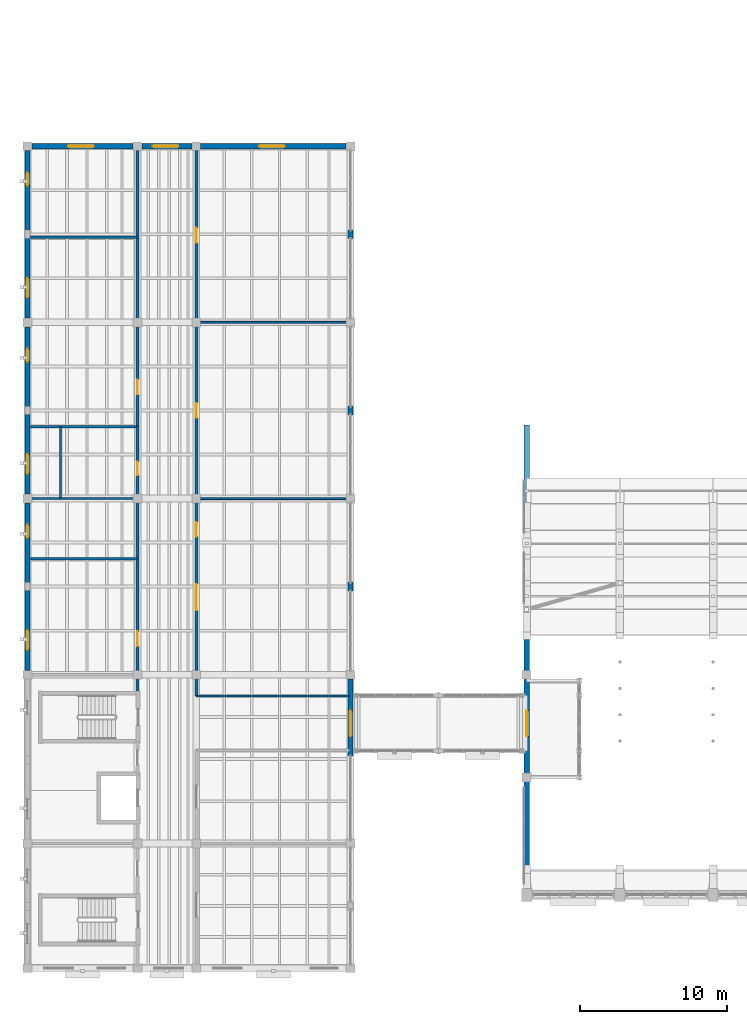
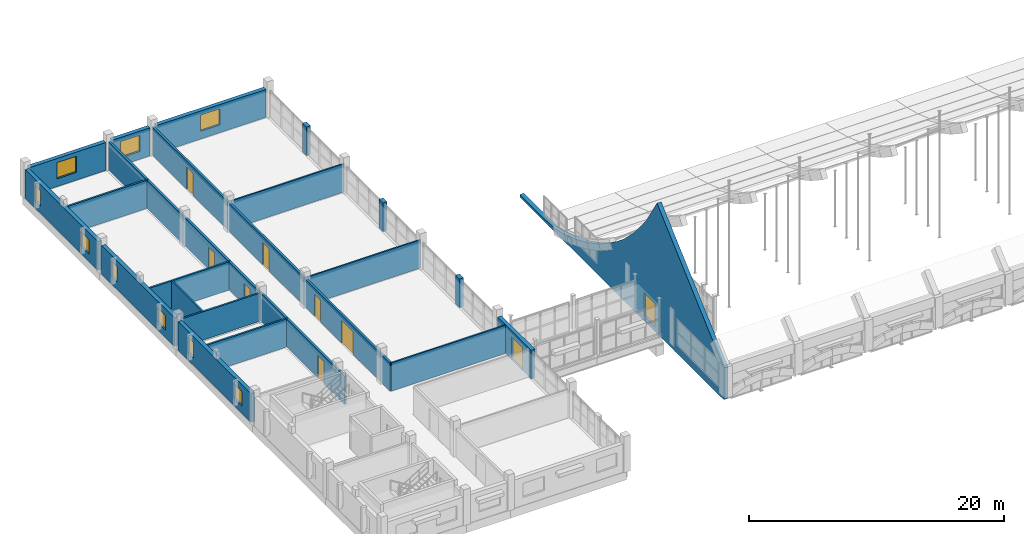
# One storey, part 61 of 77: 25 walls, 9 doors, 9 windows, 18 openings.
"""IFC4 building model written with IfcOpenShell, lengths in metres."""

from ifc_helpers import new_model, si_unit, direction, frame, frame_2d, origin, place, context, subcontext, project, spatial, polyline, rectangle, outline, extrude, material, layer, layer_set, type_object, element, fill, save


model = new_model("IFC4")

# Units and contexts
model_context = context("Model", 3, precision=1e-05, world=origin(), true_north=direction((0.0, 1.0)))
body_context = subcontext(model_context, "Body", "Model", "MODEL_VIEW")
ifc_project = project(units=[si_unit("LENGTHUNIT", "METRE"), si_unit("AREAUNIT", "SQUARE_METRE"), si_unit("VOLUMEUNIT", "CUBIC_METRE"), si_unit("PLANEANGLEUNIT", "RADIAN"), si_unit("MASSUNIT", "GRAM", prefix="KILO")], contexts=[model_context])

# Site, building, storey
site_placement = place(None, origin())
site = spatial("IfcSite", under=ifc_project, at=site_placement, CompositionType="ELEMENT")
building_placement = place(site_placement, origin())
building = spatial("IfcBuilding", under=site, at=building_placement, Name="Trellovar Central Fire Station", CompositionType="ELEMENT")
storey_placement = place(building_placement, frame((0.0, 0.0, 5.85009765625)))
storey = spatial("IfcBuildingStorey", under=building, at=storey_placement, Name="L02", CompositionType="ELEMENT", Elevation=5.85009765625)

# Wall, opening, door
ifc_material_1 = material(Name="Catalan polychrome brickwork with insulated cavity", Category="masonry")
ifc_layer_1 = layer(ifc_material_1, 0.3798828125)
ifc_layer_set_1 = layer_set([ifc_layer_1], Name="Catalan polychrome brickwork with insulated cavity")
wall_type_1 = type_object("IfcWallType", Name="EW-2", PredefinedType="STANDARD", material=ifc_layer_set_1)
wall_1_placement = place(storey_placement, frame((35.0, 14.0, -0.4501953125), z_axis=(0.0, 0.0, 1.0), x_axis=(0.0, 1.0, 0.0)))
wall_1 = element("IfcWall", 1, at=wall_1_placement, inside=storey, type_object=wall_type_1, Name="V1 W exposed ski-jump polychrome masonry gable wall", PredefinedType="STANDARD", context=body_context, shape_type="SweptSolid", body=[
    extrude(outline(polyline([(0.0, 0.0), (32.0, 0.0), (32.0, 0.25), (30.206787109375, 0.25), (28.413330078125, 0.25), (26.6201171875, 0.258056640625), (24.82666015625, 0.73388671875), (23.033203125, 1.35986328125), (21.239990234375, 2.1494140625), (19.44677734375, 3.12060546875), (17.6533203125, 4.300048828125), (15.860107421875, 5.727783203125), (14.066650390625, 7.46728515625), (12.273193359375, 9.630615234375), (10.47998046875, 12.460205078125), (8.7333984375, 10.893310546875), (6.98681640625, 9.326904296875), (5.239990234375, 7.760009765625), (3.493408203125, 6.193359375), (1.74658203125, 4.626708984375), (0.0, 3.06005859375), (0.0, 0.0)])), frame((0.0, 0.18994140625, 0.0), z_axis=(0.0, -1.0, 0.0), x_axis=(1.0, 0.0, 0.0)), (0.0, 0.0, 1.0), 0.3798828125),
])
opening_1_placement = place(wall_1_placement, frame((10.800048828125, 0.0, 0.449951171875)))
opening_1 = element("IfcOpeningElement", 2, at=opening_1_placement, cuts=wall_1, Name="Opening EX-2", PredefinedType="OPENING", context=body_context, shape_type="SweptSolid", body=[
    extrude(rectangle(XDim=1.75, YDim=2.199951171875, at=frame_2d((0.875, 1.10009765625))), frame((0.0, 0.199951171875, 0.0), z_axis=(0.0, -1.0, 0.0), x_axis=(1.0, 0.0, 0.0)), (0.0, 0.0, 1.0), 0.39990234375),
])
ifc_material_2 = material(Name="Hollow galvanized steel with acoustic core", Category="steel")
door_type_1 = type_object("IfcDoorType", Name="DR-EXT2", OperationType="DOUBLE_DOOR_SINGLE_SWING", PredefinedType="DOOR", material=ifc_material_2)
door_1_placement = place(opening_1_placement, origin())
door_1 = element("IfcDoor", 3, at=door_1_placement, inside=storey, type_object=door_type_1, Name="Cloister skybridge to appliance vault observation gallery door", OperationType="DOUBLE_DOOR_SINGLE_SWING", OverallHeight=2.199951171875, OverallWidth=1.75, PredefinedType="DOOR", context=body_context, shape_type="SweptSolid", body=[
    extrude(rectangle(XDim=1.75, YDim=2.199951171875, at=frame_2d((0.875, 1.10009765625))), frame((0.0, 0.02490234375, 0.0), z_axis=(0.0, -1.0, 0.0), x_axis=(1.0, 0.0, 0.0)), (0.0, 0.0, 1.0), 0.050048828125),
])
fill(opening_1, door_1)

# Wall, opening, window
ifc_material_3 = material(Name="Textured desert sandstone masonry", Category="masonry")
ifc_layer_2 = layer(ifc_material_3, 0.360107421875)
ifc_layer_set_2 = layer_set([ifc_layer_2], Name="Textured desert sandstone masonry")
wall_type_2 = type_object("IfcWallType", Name="EW-8", PredefinedType="STANDARD", material=ifc_layer_set_2)
wall_2_placement = place(storey_placement, frame((8.199951171875, 65.0, 0.0), z_axis=(0.0, 0.0, 1.0), x_axis=(-1.0, 0.0, 0.0)))
wall_2 = element("IfcWall", 4, at=wall_2_placement, inside=storey, type_object=wall_type_2, Name="V4 L02 north wall 1", PredefinedType="STANDARD", context=body_context, shape_type="SweptSolid", body=[
    extrude(rectangle(XDim=6.89990234375, YDim=0.360107421875, at=frame_2d((3.449951171875, 0.0))), origin(), (0.0, 0.0, 1.0), 2.68994140625),
])
opening_2_placement = place(wall_2_placement, frame((2.675048828125, 0.0, 0.75)))
opening_2 = element("IfcOpeningElement", 5, at=opening_2_placement, cuts=wall_2, Name="Opening W-03", PredefinedType="OPENING", context=body_context, shape_type="SweptSolid", body=[
    extrude(rectangle(XDim=1.75, YDim=1.550048828125, at=frame_2d((0.875, 0.77490234375))), frame((0.0, 0.18994140625, 0.0), z_axis=(0.0, -1.0, 0.0), x_axis=(1.0, 0.0, 0.0)), (0.0, 0.0, 1.0), 0.380126953125),
])
ifc_material_4 = material(Name="Thermally broken bronze anodized aluminum", Category="aluminium")
window_type_1 = type_object("IfcWindowType", Name="WIN-03", PartitioningType="DOUBLE_PANEL_VERTICAL", PredefinedType="WINDOW", material=ifc_material_4)
window_1_placement = place(opening_2_placement, origin())
window_1 = element("IfcWindow", 6, at=window_1_placement, inside=storey, type_object=window_type_1, Name="L02 window W-03", OverallHeight=1.550048828125, OverallWidth=1.75, PartitioningType="DOUBLE_PANEL_VERTICAL", PredefinedType="WINDOW", context=body_context, shape_type="SweptSolid", body=[
    extrude(rectangle(XDim=1.75, YDim=1.550048828125, at=frame_2d((0.875, 0.77490234375))), frame((0.0, 0.030029296875, 0.0), z_axis=(0.0, -1.0, 0.0), x_axis=(1.0, 0.0, 0.0)), (0.0, 0.0, 1.0), 0.06005859375),
])
fill(opening_2, window_1)

wall_3_placement = place(storey_placement, frame((12.199951171875, 65.0, 0.0), z_axis=(0.0, 0.0, 1.0), x_axis=(-1.0, 0.0, 0.0)))
wall_3 = element("IfcWall", 7, at=wall_3_placement, inside=storey, type_object=wall_type_2, Name="V4 L02 north wall 2", PredefinedType="STANDARD", context=body_context, shape_type="SweptSolid", body=[
    extrude(rectangle(XDim=3.39990234375, YDim=0.360107421875, at=frame_2d((1.699951171875, 0.0))), origin(), (0.0, 0.0, 1.0), 2.68994140625),
])
opening_3_placement = place(wall_3_placement, frame((0.925048828125, 0.0, 0.75)))
opening_3 = element("IfcOpeningElement", 8, at=opening_3_placement, cuts=wall_3, Name="Opening W-03", PredefinedType="OPENING", context=body_context, shape_type="SweptSolid", body=[
    extrude(rectangle(XDim=1.75, YDim=1.550048828125, at=frame_2d((0.875, 0.77490234375))), frame((0.0, 0.18994140625, 0.0), z_axis=(0.0, -1.0, 0.0), x_axis=(1.0, 0.0, 0.0)), (0.0, 0.0, 1.0), 0.380126953125),
])
window_2_placement = place(opening_3_placement, origin())
window_2 = element("IfcWindow", 9, at=window_2_placement, inside=storey, type_object=window_type_1, Name="L02 window W-03", OverallHeight=1.550048828125, OverallWidth=1.75, PartitioningType="DOUBLE_PANEL_VERTICAL", PredefinedType="WINDOW", context=body_context, shape_type="SweptSolid", body=[
    extrude(rectangle(XDim=1.75, YDim=1.550048828125, at=frame_2d((0.875, 0.77490234375))), frame((0.0, 0.030029296875, 0.0), z_axis=(0.0, -1.0, 0.0), x_axis=(1.0, 0.0, 0.0)), (0.0, 0.0, 1.0), 0.06005859375),
])
fill(opening_3, window_2)

wall_4_placement = place(storey_placement, frame((22.699951171875, 65.0, 0.0), z_axis=(0.0, 0.0, 1.0), x_axis=(-1.0, 0.0, 0.0)))
wall_4 = element("IfcWall", 10, at=wall_4_placement, inside=storey, type_object=wall_type_2, Name="V4 L02 north wall 3", PredefinedType="STANDARD", context=body_context, shape_type="SweptSolid", body=[
    extrude(rectangle(XDim=9.89990234375, YDim=0.360107421875, at=frame_2d((4.949951171875, 0.0))), origin(), (0.0, 0.0, 1.0), 2.68994140625),
])
opening_4_placement = place(wall_4_placement, frame((4.175048828125, 0.0, 0.75)))
opening_4 = element("IfcOpeningElement", 11, at=opening_4_placement, cuts=wall_4, Name="Opening W-03", PredefinedType="OPENING", context=body_context, shape_type="SweptSolid", body=[
    extrude(rectangle(XDim=1.75, YDim=1.550048828125, at=frame_2d((0.875, 0.77490234375))), frame((0.0, 0.18994140625, 0.0), z_axis=(0.0, -1.0, 0.0), x_axis=(1.0, 0.0, 0.0)), (0.0, 0.0, 1.0), 0.380126953125),
])
window_3_placement = place(opening_4_placement, origin())
window_3 = element("IfcWindow", 12, at=window_3_placement, inside=storey, type_object=window_type_1, Name="L02 window W-03", OverallHeight=1.550048828125, OverallWidth=1.75, PartitioningType="DOUBLE_PANEL_VERTICAL", PredefinedType="WINDOW", context=body_context, shape_type="SweptSolid", body=[
    extrude(rectangle(XDim=1.75, YDim=1.550048828125, at=frame_2d((0.875, 0.77490234375))), frame((0.0, 0.030029296875, 0.0), z_axis=(0.0, -1.0, 0.0), x_axis=(1.0, 0.0, 0.0)), (0.0, 0.0, 1.0), 0.06005859375),
])
fill(opening_4, window_3)

# Wall, openings, windows
wall_5_placement = place(storey_placement, frame((1.0, 40.699951171875, 0.0), z_axis=(0.0, 0.0, 1.0), x_axis=(0.0, -1.0, 0.0)))
wall_5 = element("IfcWall", 13, at=wall_5_placement, inside=storey, type_object=wall_type_2, Name="V4 L02 west wall", PredefinedType="STANDARD", context=body_context, shape_type="SweptSolid", body=[
    extrude(rectangle(XDim=11.39990234375, YDim=0.360107421875, at=frame_2d((5.699951171875, 0.0))), origin(), (0.0, 0.0, 1.0), 2.75),
])
opening_5_placement = place(wall_5_placement, frame((1.5, 0.0, 0.699951171875)))
opening_5 = element("IfcOpeningElement", 14, at=opening_5_placement, cuts=wall_5, Name="Opening W-07", PredefinedType="OPENING", context=body_context, shape_type="SweptSolid", body=[
    extrude(rectangle(XDim=0.8798828125, YDim=1.5, at=frame_2d((0.43994140625, 0.75))), frame((0.0, 0.18994140625, 0.0), z_axis=(0.0, -1.0, 0.0), x_axis=(1.0, 0.0, 0.0)), (0.0, 0.0, 1.0), 0.380126953125),
])
opening_6_placement = place(wall_5_placement, frame((8.699951171875, 0.0, 0.699951171875)))
opening_6 = element("IfcOpeningElement", 15, at=opening_6_placement, cuts=wall_5, Name="Opening W-09", PredefinedType="OPENING", context=body_context, shape_type="SweptSolid", body=[
    extrude(rectangle(XDim=1.300048828125, YDim=1.39990234375, at=frame_2d((0.64990234375, 0.699951171875))), frame((0.0, 0.18994140625, 0.0), z_axis=(0.0, -1.0, 0.0), x_axis=(1.0, 0.0, 0.0)), (0.0, 0.0, 1.0), 0.380126953125),
])
ifc_material_5 = material(Name="Thermally broken bronze anodized aluminum", Category="aluminium")
window_type_2 = type_object("IfcWindowType", Name="WIN-07", PartitioningType="SINGLE_PANEL", PredefinedType="WINDOW", material=ifc_material_5)
window_4_placement = place(opening_5_placement, origin())
window_4 = element("IfcWindow", 16, at=window_4_placement, inside=storey, type_object=window_type_2, Name="L02 window W-07", OverallHeight=1.5, OverallWidth=0.8798828125, PartitioningType="SINGLE_PANEL", PredefinedType="WINDOW", context=body_context, shape_type="SweptSolid", body=[
    extrude(rectangle(XDim=0.8798828125, YDim=1.5, at=frame_2d((0.43994140625, 0.75))), frame((0.0, 0.030029296875, 0.0), z_axis=(0.0, -1.0, 0.0), x_axis=(1.0, 0.0, 0.0)), (0.0, 0.0, 1.0), 0.06005859375),
])
fill(opening_5, window_4)
ifc_material_6 = material(Name="Thermally broken bronze anodized aluminum", Category="aluminium")
window_type_3 = type_object("IfcWindowType", Name="WIN-09", PartitioningType="SINGLE_PANEL", PredefinedType="WINDOW", material=ifc_material_6)
window_5_placement = place(opening_6_placement, origin())
window_5 = element("IfcWindow", 17, at=window_5_placement, inside=storey, type_object=window_type_3, Name="L02 window W-09", OverallHeight=1.39990234375, OverallWidth=1.300048828125, PartitioningType="SINGLE_PANEL", PredefinedType="WINDOW", context=body_context, shape_type="SweptSolid", body=[
    extrude(rectangle(XDim=1.300048828125, YDim=1.39990234375, at=frame_2d((0.64990234375, 0.699951171875))), frame((0.0, 0.030029296875, 0.0), z_axis=(0.0, -1.0, 0.0), x_axis=(1.0, 0.0, 0.0)), (0.0, 0.0, 1.0), 0.06005859375),
])
fill(opening_6, window_5)

wall_6_placement = place(storey_placement, frame((1.0, 52.699951171875, 0.0), z_axis=(0.0, 0.0, 1.0), x_axis=(0.0, -1.0, 0.0)))
wall_6 = element("IfcWall", 18, at=wall_6_placement, inside=storey, type_object=wall_type_2, Name="V4 L02 west wall", PredefinedType="STANDARD", context=body_context, shape_type="SweptSolid", body=[
    extrude(rectangle(XDim=11.39990234375, YDim=0.360107421875, at=frame_2d((5.699951171875, 0.0))), origin(), (0.0, 0.0, 1.0), 2.75),
])
opening_7_placement = place(wall_6_placement, frame((1.5, 0.0, 0.699951171875)))
opening_7 = element("IfcOpeningElement", 19, at=opening_7_placement, cuts=wall_6, Name="Opening W-07", PredefinedType="OPENING", context=body_context, shape_type="SweptSolid", body=[
    extrude(rectangle(XDim=0.8798828125, YDim=1.5, at=frame_2d((0.43994140625, 0.75))), frame((0.0, 0.18994140625, 0.0), z_axis=(0.0, -1.0, 0.0), x_axis=(1.0, 0.0, 0.0)), (0.0, 0.0, 1.0), 0.380126953125),
])
opening_8_placement = place(wall_6_placement, frame((8.699951171875, 0.0, 0.699951171875)))
opening_8 = element("IfcOpeningElement", 20, at=opening_8_placement, cuts=wall_6, Name="Opening W-09", PredefinedType="OPENING", context=body_context, shape_type="SweptSolid", body=[
    extrude(rectangle(XDim=1.300048828125, YDim=1.39990234375, at=frame_2d((0.64990234375, 0.699951171875))), frame((0.0, 0.18994140625, 0.0), z_axis=(0.0, -1.0, 0.0), x_axis=(1.0, 0.0, 0.0)), (0.0, 0.0, 1.0), 0.380126953125),
])
window_6_placement = place(opening_7_placement, origin())
window_6 = element("IfcWindow", 21, at=window_6_placement, inside=storey, type_object=window_type_2, Name="L02 window W-07", OverallHeight=1.5, OverallWidth=0.8798828125, PartitioningType="SINGLE_PANEL", PredefinedType="WINDOW", context=body_context, shape_type="SweptSolid", body=[
    extrude(rectangle(XDim=0.8798828125, YDim=1.5, at=frame_2d((0.43994140625, 0.75))), frame((0.0, 0.030029296875, 0.0), z_axis=(0.0, -1.0, 0.0), x_axis=(1.0, 0.0, 0.0)), (0.0, 0.0, 1.0), 0.06005859375),
])
fill(opening_7, window_6)
window_7_placement = place(opening_8_placement, origin())
window_7 = element("IfcWindow", 22, at=window_7_placement, inside=storey, type_object=window_type_3, Name="L02 window W-09", OverallHeight=1.39990234375, OverallWidth=1.300048828125, PartitioningType="SINGLE_PANEL", PredefinedType="WINDOW", context=body_context, shape_type="SweptSolid", body=[
    extrude(rectangle(XDim=1.300048828125, YDim=1.39990234375, at=frame_2d((0.64990234375, 0.699951171875))), frame((0.0, 0.030029296875, 0.0), z_axis=(0.0, -1.0, 0.0), x_axis=(1.0, 0.0, 0.0)), (0.0, 0.0, 1.0), 0.06005859375),
])
fill(opening_8, window_7)

wall_7_placement = place(storey_placement, frame((1.0, 64.699951171875, 0.0), z_axis=(0.0, 0.0, 1.0), x_axis=(0.0, -1.0, 0.0)))
wall_7 = element("IfcWall", 23, at=wall_7_placement, inside=storey, type_object=wall_type_2, Name="V4 L02 west wall", PredefinedType="STANDARD", context=body_context, shape_type="SweptSolid", body=[
    extrude(rectangle(XDim=11.39990234375, YDim=0.360107421875, at=frame_2d((5.699951171875, 0.0))), origin(), (0.0, 0.0, 1.0), 2.75),
])
opening_9_placement = place(wall_7_placement, frame((1.5, 0.0, 0.699951171875)))
opening_9 = element("IfcOpeningElement", 24, at=opening_9_placement, cuts=wall_7, Name="Opening W-07", PredefinedType="OPENING", context=body_context, shape_type="SweptSolid", body=[
    extrude(rectangle(XDim=0.8798828125, YDim=1.5, at=frame_2d((0.43994140625, 0.75))), frame((0.0, 0.18994140625, 0.0), z_axis=(0.0, -1.0, 0.0), x_axis=(1.0, 0.0, 0.0)), (0.0, 0.0, 1.0), 0.380126953125),
])
opening_10_placement = place(wall_7_placement, frame((8.699951171875, 0.0, 0.699951171875)))
opening_10 = element("IfcOpeningElement", 25, at=opening_10_placement, cuts=wall_7, Name="Opening W-09", PredefinedType="OPENING", context=body_context, shape_type="SweptSolid", body=[
    extrude(rectangle(XDim=1.300048828125, YDim=1.39990234375, at=frame_2d((0.64990234375, 0.699951171875))), frame((0.0, 0.18994140625, 0.0), z_axis=(0.0, -1.0, 0.0), x_axis=(1.0, 0.0, 0.0)), (0.0, 0.0, 1.0), 0.380126953125),
])
window_8_placement = place(opening_9_placement, origin())
window_8 = element("IfcWindow", 26, at=window_8_placement, inside=storey, type_object=window_type_2, Name="L02 window W-07", OverallHeight=1.5, OverallWidth=0.8798828125, PartitioningType="SINGLE_PANEL", PredefinedType="WINDOW", context=body_context, shape_type="SweptSolid", body=[
    extrude(rectangle(XDim=0.8798828125, YDim=1.5, at=frame_2d((0.43994140625, 0.75))), frame((0.0, 0.030029296875, 0.0), z_axis=(0.0, -1.0, 0.0), x_axis=(1.0, 0.0, 0.0)), (0.0, 0.0, 1.0), 0.06005859375),
])
fill(opening_9, window_8)
window_9_placement = place(opening_10_placement, origin())
window_9 = element("IfcWindow", 27, at=window_9_placement, inside=storey, type_object=window_type_3, Name="L02 window W-09", OverallHeight=1.39990234375, OverallWidth=1.300048828125, PartitioningType="SINGLE_PANEL", PredefinedType="WINDOW", context=body_context, shape_type="SweptSolid", body=[
    extrude(rectangle(XDim=1.300048828125, YDim=1.39990234375, at=frame_2d((0.64990234375, 0.699951171875))), frame((0.0, 0.030029296875, 0.0), z_axis=(0.0, -1.0, 0.0), x_axis=(1.0, 0.0, 0.0)), (0.0, 0.0, 1.0), 0.06005859375),
])
fill(opening_10, window_9)

# Wall, opening, door
wall_8_placement = place(storey_placement, frame((23.0, 23.449951171875, 0.0), z_axis=(0.0, 0.0, 1.0), x_axis=(0.0, 1.0, 0.0)))
wall_8 = element("IfcWall", 28, at=wall_8_placement, inside=storey, type_object=wall_type_2, Name="V4 L02 cloister bridge portal wall", PredefinedType="STANDARD", context=body_context, shape_type="SweptSolid", body=[
    extrude(rectangle(XDim=5.25, YDim=0.360107421875, at=frame_2d((2.625, 0.0))), origin(), (0.0, 0.0, 1.0), 2.75),
])
opening_11_placement = place(wall_8_placement, frame((1.35009765625, 0.0, 0.0)))
opening_11 = element("IfcOpeningElement", 29, at=opening_11_placement, cuts=wall_8, Name="Opening EX-2", PredefinedType="OPENING", context=body_context, shape_type="SweptSolid", body=[
    extrude(rectangle(XDim=1.75, YDim=2.199951171875, at=frame_2d((0.875, 1.10009765625))), frame((0.0, 0.18994140625, 0.0), z_axis=(0.0, -1.0, 0.0), x_axis=(1.0, 0.0, 0.0)), (0.0, 0.0, 1.0), 0.380126953125),
])
door_2_placement = place(opening_11_placement, origin())
door_2 = element("IfcDoor", 30, at=door_2_placement, inside=storey, type_object=door_type_1, Name="V4 L02 corridor to cloister skybridge door", OperationType="DOUBLE_DOOR_SINGLE_SWING", OverallHeight=2.199951171875, OverallWidth=1.75, PredefinedType="DOOR", context=body_context, shape_type="SweptSolid", body=[
    extrude(rectangle(XDim=1.75, YDim=2.199951171875, at=frame_2d((0.875, 1.10009765625))), frame((0.0, 0.02490234375, 0.0), z_axis=(0.0, -1.0, 0.0), x_axis=(1.0, 0.0, 0.0)), (0.0, 0.0, 1.0), 0.050048828125),
])
fill(opening_11, door_2)

# Walls
for number, where, z_axis, x_axis, name in (
    (31, (23.0, 34.699951171875, 0.0), (0.0, 0.0, 1.0), (0.0, 1.0, 0.0), "V4 L02 courtyard mullion pier"),
    (32, (23.0, 46.699951171875, 0.0), (0.0, 0.0, 1.0), (0.0, 1.0, 0.0), "V4 L02 courtyard mullion pier"),
    (33, (23.0, 58.699951171875, 0.0), (0.0, 0.0, 1.0), (0.0, 1.0, 0.0), "V4 L02 courtyard mullion pier"),
):
    element("IfcWall", number, at=place(storey_placement, frame(where, z_axis=z_axis, x_axis=x_axis)), inside=storey, type_object=wall_type_2, Name=name, PredefinedType="STANDARD", context=body_context, shape_type="SweptSolid", body=[
        extrude(rectangle(XDim=0.60009765625, YDim=0.360107421875, at=frame_2d((0.300048828125, 0.0))), origin(), (0.0, 0.0, 1.0), 2.75),
    ])

# Wall, opening, door
ifc_material_7 = material(Name="Acoustic concrete masonry unit", Category="masonry")
ifc_layer_3 = layer(ifc_material_7, 0.199951171875)
ifc_layer_set_3 = layer_set([ifc_layer_3], Name="Acoustic concrete masonry unit")
wall_type_3 = type_object("IfcWallType", Name="PT-1", PredefinedType="PARTITIONING", material=ifc_layer_set_3)
wall_9_placement = place(storey_placement, frame((8.5, 27.739990234375, 0.0), z_axis=(0.0, 0.0, 1.0), x_axis=(0.0, 1.0, 0.0)))
wall_9 = element("IfcWall", 34, at=wall_9_placement, inside=storey, type_object=wall_type_3, Name="V4 L02 west corridor spine 4", PredefinedType="PARTITIONING", context=body_context, shape_type="SweptSolid", body=[
    extrude(rectangle(XDim=13.260009765625, YDim=0.199951171875, at=frame_2d((6.6298828125, 0.0))), origin(), (0.0, 0.0, 1.0), 2.699951171875),
])
opening_12_placement = place(wall_9_placement, frame((3.199951171875, 0.0, 0.0)))
opening_12 = element("IfcOpeningElement", 35, at=opening_12_placement, cuts=wall_9, Name="Opening ID-8", PredefinedType="OPENING", context=body_context, shape_type="SweptSolid", body=[
    extrude(rectangle(XDim=1.02001953125, YDim=2.139892578125, at=frame_2d((0.510009765625, 1.06982421875))), frame((0.0, 0.10986328125, 0.0), z_axis=(0.0, -1.0, 0.0), x_axis=(1.0, 0.0, 0.0)), (0.0, 0.0, 1.0), 0.219970703125),
])
ifc_material_8 = material(Name="Solid core acoustic white oak veneer", Category="wood")
door_type_2 = type_object("IfcDoorType", Name="DR-INT8", OperationType="SINGLE_SWING_LEFT", PredefinedType="DOOR", material=ifc_material_8)
door_3_placement = place(opening_12_placement, origin())
door_3 = element("IfcDoor", 36, at=door_3_placement, inside=storey, type_object=door_type_2, Name="V4 L02 NW room door", OperationType="SINGLE_SWING_RIGHT", OverallHeight=2.139892578125, OverallWidth=1.02001953125, PredefinedType="DOOR", context=body_context, shape_type="SweptSolid", body=[
    extrude(rectangle(XDim=1.02001953125, YDim=2.139892578125, at=frame_2d((0.510009765625, 1.06982421875))), frame((0.0, 0.02490234375, 0.0), z_axis=(0.0, -1.0, 0.0), x_axis=(1.0, 0.0, 0.0)), (0.0, 0.0, 1.0), 0.050048828125),
])
fill(opening_12, door_3)

wall_10_placement = place(storey_placement, frame((8.5, 41.0, 0.0), z_axis=(0.0, 0.0, 1.0), x_axis=(0.0, 1.0, 0.0)))
wall_10 = element("IfcWall", 37, at=wall_10_placement, inside=storey, type_object=wall_type_3, Name="V4 L02 west corridor spine 5", PredefinedType="PARTITIONING", context=body_context, shape_type="SweptSolid", body=[
    extrude(rectangle(XDim=4.89990234375, YDim=0.199951171875, at=frame_2d((2.449951171875, 0.0))), origin(), (0.0, 0.0, 1.0), 2.699951171875),
])
opening_13_placement = place(wall_10_placement, frame((1.60009765625, 0.0, 0.0)))
opening_13 = element("IfcOpeningElement", 38, at=opening_13_placement, cuts=wall_10, Name="Opening ID-11", PredefinedType="OPENING", context=body_context, shape_type="SweptSolid", body=[
    extrude(rectangle(XDim=0.89990234375, YDim=2.080078125, at=frame_2d((0.449951171875, 1.0400390625))), frame((0.0, 0.10986328125, 0.0), z_axis=(0.0, -1.0, 0.0), x_axis=(1.0, 0.0, 0.0)), (0.0, 0.0, 1.0), 0.219970703125),
])
ifc_material_9 = material(Name="Solid core acoustic white oak veneer", Category="wood")
door_type_3 = type_object("IfcDoorType", Name="DR-INT11", OperationType="SINGLE_SWING_LEFT", PredefinedType="DOOR", material=ifc_material_9)
door_4_placement = place(opening_13_placement, origin())
door_4 = element("IfcDoor", 39, at=door_4_placement, inside=storey, type_object=door_type_3, Name="V4 L02 accessible restroom door", OperationType="SINGLE_SWING_LEFT", OverallHeight=2.080078125, OverallWidth=0.89990234375, PredefinedType="DOOR", context=body_context, shape_type="SweptSolid", body=[
    extrude(rectangle(XDim=0.89990234375, YDim=2.080078125, at=frame_2d((0.449951171875, 1.0400390625))), frame((0.0, 0.02490234375, 0.0), z_axis=(0.0, -1.0, 0.0), x_axis=(1.0, 0.0, 0.0)), (0.0, 0.0, 1.0), 0.050048828125),
])
fill(opening_13, door_4)

wall_11_placement = place(storey_placement, frame((8.5, 45.89990234375, 0.0), z_axis=(0.0, 0.0, 1.0), x_axis=(0.0, 1.0, 0.0)))
wall_11 = element("IfcWall", 40, at=wall_11_placement, inside=storey, type_object=wall_type_3, Name="V4 L02 west corridor spine 6", PredefinedType="PARTITIONING", context=body_context, shape_type="SweptSolid", body=[
    extrude(rectangle(XDim=18.9501953125, YDim=0.199951171875, at=frame_2d((9.47509765625, 0.0))), origin(), (0.0, 0.0, 1.0), 2.699951171875),
])
opening_14_placement = place(wall_11_placement, frame((2.199951171875, 0.0, 0.0)))
opening_14 = element("IfcOpeningElement", 41, at=opening_14_placement, cuts=wall_11, Name="Opening ID-1", PredefinedType="OPENING", context=body_context, shape_type="SweptSolid", body=[
    extrude(rectangle(XDim=1.0, YDim=2.1201171875, at=frame_2d((0.5, 1.06005859375))), frame((0.0, 0.10986328125, 0.0), z_axis=(0.0, -1.0, 0.0), x_axis=(1.0, 0.0, 0.0)), (0.0, 0.0, 1.0), 0.219970703125),
])
ifc_material_10 = material(Name="Solid core acoustic white oak veneer", Category="wood")
door_type_4 = type_object("IfcDoorType", Name="DR-INT1", OperationType="SINGLE_SWING_LEFT", PredefinedType="DOOR", material=ifc_material_10)
door_5_placement = place(opening_14_placement, origin())
door_5 = element("IfcDoor", 42, at=door_5_placement, inside=storey, type_object=door_type_4, Name="V4 L02 north room door", OperationType="SINGLE_SWING_RIGHT", OverallHeight=2.1201171875, OverallWidth=1.0, PredefinedType="DOOR", context=body_context, shape_type="SweptSolid", body=[
    extrude(rectangle(XDim=1.0, YDim=2.1201171875, at=frame_2d((0.5, 1.06005859375))), frame((0.0, 0.02490234375, 0.0), z_axis=(0.0, -1.0, 0.0), x_axis=(1.0, 0.0, 0.0)), (0.0, 0.0, 1.0), 0.050048828125),
])
fill(opening_14, door_5)

# Wall, openings, doors
wall_12_placement = place(storey_placement, frame((12.5, 27.550048828125, 0.0), z_axis=(0.0, 0.0, 1.0), x_axis=(0.0, 1.0, 0.0)))
wall_12 = element("IfcWall", 43, at=wall_12_placement, inside=storey, type_object=wall_type_3, Name="V4 L02 east corridor spine", PredefinedType="PARTITIONING", context=body_context, shape_type="SweptSolid", body=[
    extrude(rectangle(XDim=13.449951171875, YDim=0.199951171875, at=frame_2d((6.72509765625, 0.0))), origin(), (0.0, 0.0, 1.0), 2.699951171875),
])
opening_15_placement = place(wall_12_placement, frame((5.824951171875, 0.0, 0.0)))
opening_15 = element("IfcOpeningElement", 44, at=opening_15_placement, cuts=wall_12, Name="Opening ID-3", PredefinedType="OPENING", context=body_context, shape_type="SweptSolid", body=[
    extrude(rectangle(XDim=1.800048828125, YDim=2.179931640625, at=frame_2d((0.89990234375, 1.08984375))), frame((0.0, 0.10986328125, 0.0), z_axis=(0.0, -1.0, 0.0), x_axis=(1.0, 0.0, 0.0)), (0.0, 0.0, 1.0), 0.219970703125),
])
opening_16_placement = place(wall_12_placement, frame((10.85009765625, 0.0, 0.0)))
opening_16 = element("IfcOpeningElement", 45, at=opening_16_placement, cuts=wall_12, Name="Opening ID-1", PredefinedType="OPENING", context=body_context, shape_type="SweptSolid", body=[
    extrude(rectangle(XDim=1.0, YDim=2.1201171875, at=frame_2d((0.5, 1.06005859375))), frame((0.0, 0.10986328125, 0.0), z_axis=(0.0, -1.0, 0.0), x_axis=(1.0, 0.0, 0.0)), (0.0, 0.0, 1.0), 0.219970703125),
])
door_6_placement = place(opening_16_placement, origin())
door_6 = element("IfcDoor", 46, at=door_6_placement, inside=storey, type_object=door_type_4, Name="V4 L02 east secondary door", OperationType="SINGLE_SWING_LEFT", OverallHeight=2.1201171875, OverallWidth=1.0, PredefinedType="DOOR", context=body_context, shape_type="SweptSolid", body=[
    extrude(rectangle(XDim=1.0, YDim=2.1201171875, at=frame_2d((0.5, 1.06005859375))), frame((0.0, 0.02490234375, 0.0), z_axis=(0.0, -1.0, 0.0), x_axis=(1.0, 0.0, 0.0)), (0.0, 0.0, 1.0), 0.050048828125),
])
fill(opening_16, door_6)
ifc_material_11 = material(Name="Hollow galvanized steel with acoustic core", Category="steel")
door_type_5 = type_object("IfcDoorType", Name="DR-INT3", OperationType="DOUBLE_DOOR_SINGLE_SWING", PredefinedType="DOOR", material=ifc_material_11)
door_7_placement = place(opening_15_placement, origin())
door_7 = element("IfcDoor", 47, at=door_7_placement, inside=storey, type_object=door_type_5, Name="V4 L02 east room door", OperationType="DOUBLE_DOOR_SINGLE_SWING", OverallHeight=2.179931640625, OverallWidth=1.800048828125, PredefinedType="DOOR", context=body_context, shape_type="SweptSolid", body=[
    extrude(rectangle(XDim=1.800048828125, YDim=2.179931640625, at=frame_2d((0.89990234375, 1.08984375))), frame((0.0, 0.02490234375, 0.0), z_axis=(0.0, -1.0, 0.0), x_axis=(1.0, 0.0, 0.0)), (0.0, 0.0, 1.0), 0.050048828125),
])
fill(opening_15, door_7)

# Wall, opening, door
wall_13_placement = place(storey_placement, frame((12.5, 41.0, 0.0), z_axis=(0.0, 0.0, 1.0), x_axis=(0.0, 1.0, 0.0)))
wall_13 = element("IfcWall", 48, at=wall_13_placement, inside=storey, type_object=wall_type_3, Name="V4 L02 east corridor spine", PredefinedType="PARTITIONING", context=body_context, shape_type="SweptSolid", body=[
    extrude(rectangle(XDim=12.0, YDim=0.199951171875, at=frame_2d((6.0, 0.0))), origin(), (0.0, 0.0, 1.0), 2.699951171875),
])
opening_17_placement = place(wall_13_placement, frame((5.5, 0.0, 0.0)))
opening_17 = element("IfcOpeningElement", 49, at=opening_17_placement, cuts=wall_13, Name="Opening ID-1", PredefinedType="OPENING", context=body_context, shape_type="SweptSolid", body=[
    extrude(rectangle(XDim=1.0, YDim=2.1201171875, at=frame_2d((0.5, 1.06005859375))), frame((0.0, 0.10986328125, 0.0), z_axis=(0.0, -1.0, 0.0), x_axis=(1.0, 0.0, 0.0)), (0.0, 0.0, 1.0), 0.219970703125),
])
door_8_placement = place(opening_17_placement, origin())
door_8 = element("IfcDoor", 50, at=door_8_placement, inside=storey, type_object=door_type_4, Name="V4 L02 east room door", OperationType="SINGLE_SWING_RIGHT", OverallHeight=2.1201171875, OverallWidth=1.0, PredefinedType="DOOR", context=body_context, shape_type="SweptSolid", body=[
    extrude(rectangle(XDim=1.0, YDim=2.1201171875, at=frame_2d((0.5, 1.06005859375))), frame((0.0, 0.02490234375, 0.0), z_axis=(0.0, -1.0, 0.0), x_axis=(1.0, 0.0, 0.0)), (0.0, 0.0, 1.0), 0.050048828125),
])
fill(opening_17, door_8)

wall_14_placement = place(storey_placement, frame((12.5, 53.0, 0.0), z_axis=(0.0, 0.0, 1.0), x_axis=(0.0, 1.0, 0.0)))
wall_14 = element("IfcWall", 51, at=wall_14_placement, inside=storey, type_object=wall_type_3, Name="V4 L02 east corridor spine", PredefinedType="PARTITIONING", context=body_context, shape_type="SweptSolid", body=[
    extrude(rectangle(XDim=11.85009765625, YDim=0.199951171875, at=frame_2d((5.925048828125, 0.0))), origin(), (0.0, 0.0, 1.0), 2.699951171875),
])
opening_18_placement = place(wall_14_placement, frame((5.4150390625, 0.0, 0.0)))
opening_18 = element("IfcOpeningElement", 52, at=opening_18_placement, cuts=wall_14, Name="Opening ID-8", PredefinedType="OPENING", context=body_context, shape_type="SweptSolid", body=[
    extrude(rectangle(XDim=1.02001953125, YDim=2.139892578125, at=frame_2d((0.510009765625, 1.06982421875))), frame((0.0, 0.10986328125, 0.0), z_axis=(0.0, -1.0, 0.0), x_axis=(1.0, 0.0, 0.0)), (0.0, 0.0, 1.0), 0.219970703125),
])
door_9_placement = place(opening_18_placement, origin())
door_9 = element("IfcDoor", 53, at=door_9_placement, inside=storey, type_object=door_type_2, Name="V4 L02 east room door", OperationType="SINGLE_SWING_LEFT", OverallHeight=2.139892578125, OverallWidth=1.02001953125, PredefinedType="DOOR", context=body_context, shape_type="SweptSolid", body=[
    extrude(rectangle(XDim=1.02001953125, YDim=2.139892578125, at=frame_2d((0.510009765625, 1.06982421875))), frame((0.0, 0.02490234375, 0.0), z_axis=(0.0, -1.0, 0.0), x_axis=(1.0, 0.0, 0.0)), (0.0, 0.0, 1.0), 0.050048828125),
])
fill(opening_18, door_9)

# Walls
ifc_material_12 = material(Name="Acoustic concrete masonry unit", Category="masonry")
ifc_layer_4 = layer(ifc_material_12, 0.159912109375)
ifc_layer_set_4 = layer_set([ifc_layer_4], Name="Acoustic concrete masonry unit")
wall_type_4 = type_object("IfcWallType", Name="PT-2", PredefinedType="PARTITIONING", material=ifc_layer_set_4)
for number, where, z_axis, x_axis, name in (
    (54, (1.14990234375, 36.89990234375, 0.0), (0.0, 0.0, 1.0), (1.0, 0.0, 0.0), "V4 L02 west divider Y=36.9"),
    (55, (1.14990234375, 41.0, 0.0), (0.0, 0.0, 1.0), (1.0, 0.0, 0.0), "V4 L02 west divider Y=41.0"),
    (56, (1.14990234375, 45.89990234375, 0.0), (0.0, 0.0, 1.0), (1.0, 0.0, 0.0), "V4 L02 west divider Y=45.9"),
    (57, (1.14990234375, 58.800048828125, 0.0), (0.0, 0.0, 1.0), (1.0, 0.0, 0.0), "V4 L02 west divider Y=58.8"),
):
    element("IfcWall", number, at=place(storey_placement, frame(where, z_axis=z_axis, x_axis=x_axis)), inside=storey, type_object=wall_type_4, Name=name, PredefinedType="PARTITIONING", context=body_context, shape_type="SweptSolid", body=[
        extrude(rectangle(XDim=7.35009765625, YDim=0.159912109375, at=frame_2d((3.675048828125, 0.0))), origin(), (0.0, 0.0, 1.0), 2.699951171875),
    ])
ifc_material_13 = material(Name="Fire-rated acoustic gypsum stud partition", Category="gypsum")
ifc_layer_5 = layer(ifc_material_13, 0.125)
ifc_layer_set_5 = layer_set([ifc_layer_5], Name="Fire-rated acoustic gypsum stud partition")
wall_type_5 = type_object("IfcWallType", Name="PT-4", PredefinedType="PARTITIONING", material=ifc_layer_set_5)
wall_15_placement = place(storey_placement, frame((3.25, 41.0, 0.0), z_axis=(0.0, 0.0, 1.0), x_axis=(0.0, 1.0, 0.0)))
element("IfcWall", 58, at=wall_15_placement, inside=storey, type_object=wall_type_5, Name="V4 L02 restroom back wall", PredefinedType="PARTITIONING", context=body_context, shape_type="SweptSolid", body=[
    extrude(rectangle(XDim=4.89990234375, YDim=0.125, at=frame_2d((2.449951171875, 0.0))), origin(), (0.0, 0.0, 1.0), 2.699951171875),
])
ifc_material_14 = material(Name="Fire-rated acoustic gypsum stud partition", Category="gypsum")
ifc_layer_6 = layer(ifc_material_14, 0.135009765625)
ifc_layer_set_6 = layer_set([ifc_layer_6], Name="Fire-rated acoustic gypsum stud partition")
wall_type_6 = type_object("IfcWallType", Name="PT-7", PredefinedType="PARTITIONING", material=ifc_layer_set_6)
for number, where, z_axis, x_axis, name in (
    (59, (12.5, 27.550048828125, 0.0), (0.0, 0.0, 1.0), (1.0, 0.0, 0.0), "V4 L02 east room divider Y=27.55"),
    (60, (12.5, 41.0, 0.0), (0.0, 0.0, 1.0), (1.0, 0.0, 0.0), "V4 L02 east room divider Y=41.00"),
    (61, (12.5, 53.0, 0.0), (0.0, 0.0, 1.0), (1.0, 0.0, 0.0), "V4 L02 east room divider Y=53.00"),
):
    element("IfcWall", number, at=place(storey_placement, frame(where, z_axis=z_axis, x_axis=x_axis)), inside=storey, type_object=wall_type_6, Name=name, PredefinedType="PARTITIONING", context=body_context, shape_type="SweptSolid", body=[
        extrude(rectangle(XDim=10.419921875, YDim=0.135009765625, at=frame_2d((5.2099609375, 0.0))), origin(), (0.0, 0.0, 1.0), 2.699951171875),
    ])

save(model, "model.ifc")
